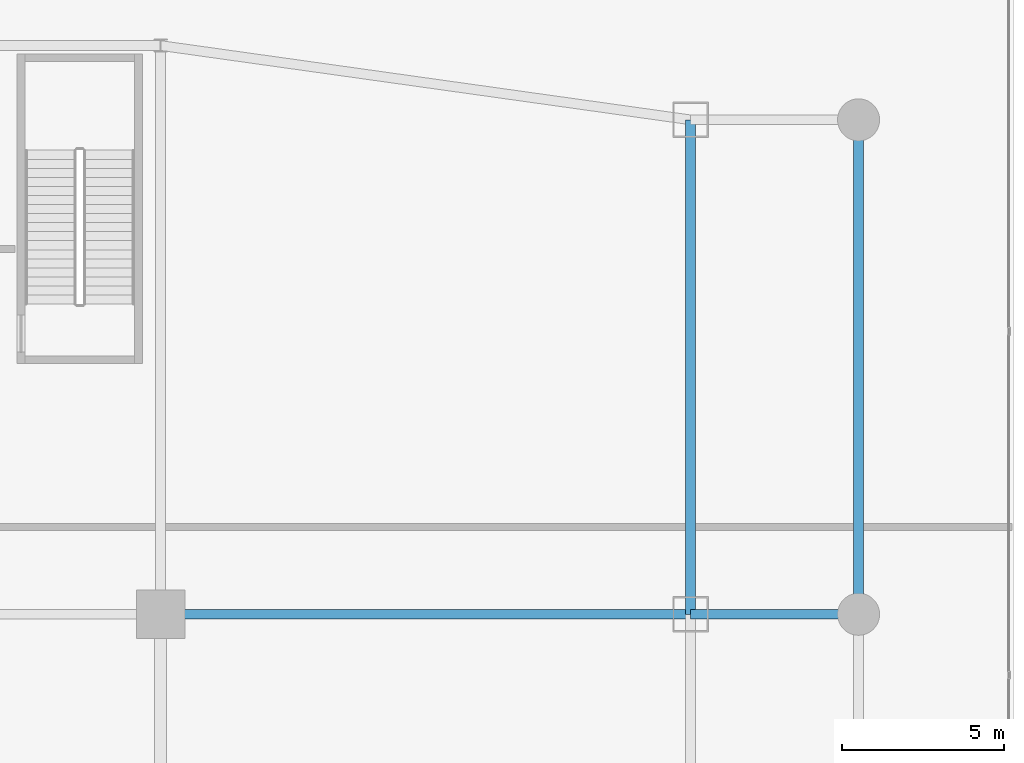
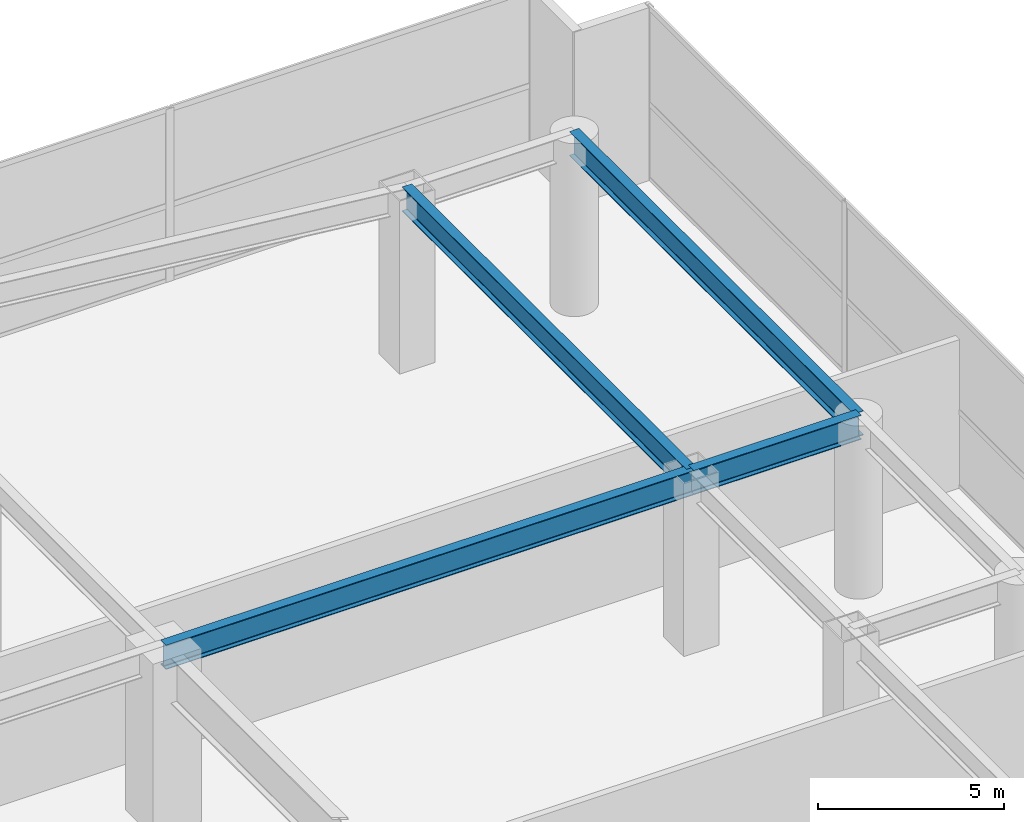
# One storey, part 25 of 35: 4 beams.
"""IFC4 building model written with IfcOpenShell, lengths in metres."""

from ifc_helpers import new_model, si_unit, direction, frame, origin, origin_2d, place, context, subcontext, project, spatial, i_section, extrude, material, material_profile, profile_set, type_object, element, save


model = new_model("IFC4")

# Units and contexts
model_context = context("Model", 3, precision=1e-05, world=origin(), true_north=direction((0.0, 1.0)))
body_context = subcontext(model_context, "Body", "Model", "MODEL_VIEW")
ifc_project = project(units=[si_unit("LENGTHUNIT", "METRE"), si_unit("AREAUNIT", "SQUARE_METRE"), si_unit("VOLUMEUNIT", "CUBIC_METRE"), si_unit("PLANEANGLEUNIT", "RADIAN"), si_unit("MASSUNIT", "GRAM", prefix="KILO")], contexts=[model_context])

# Site, building, storey
site_placement = place(None, origin())
site = spatial("IfcSite", under=ifc_project, at=site_placement, CompositionType="ELEMENT")
building_placement = place(site_placement, origin())
building = spatial("IfcBuilding", under=site, at=building_placement, Name="Calvorn Quay Hotel", CompositionType="ELEMENT")
storey_placement = place(building_placement, frame((0.0, 0.0, 6.0)))
storey = spatial("IfcBuildingStorey", under=building, at=storey_placement, Name="L01", CompositionType="ELEMENT", Elevation=6.0)

# Beams
ifc_material = material(Name="Steel Q390GJC", Category="steel")
ifc_material_profile = material_profile(ifc_material, i_section(OverallWidth=0.300048828125, OverallDepth=0.800048828125, WebThickness=0.013916015625, FlangeThickness=0.02587890625, FilletRadius=0.02392578125, at=origin_2d()), Name="HN800x300x14x26")
ifc_profile_set = profile_set([ifc_material_profile], Name="Steel Q390GJC")
beam_type = type_object("IfcBeamType", Name="BM-GIRD-POD", PredefinedType="BEAM", material=ifc_profile_set)
beam_1_placement = place(storey_placement, frame((74.0, 36.199951171875, 5.280029296875), z_axis=(0.0, 1.0, 0.0), x_axis=(-1.0, 0.0, 0.0)))
element("IfcBeam", 1, at=beam_1_placement, inside=storey, type_object=beam_type, Name="Beam BG-L01-PE4", PredefinedType="BEAM", context=body_context, shape_type="SweptSolid", body=[
    extrude(i_section(OverallWidth=0.300048828125, OverallDepth=0.800048828125, WebThickness=0.013916015625, FlangeThickness=0.02587890625, FilletRadius=0.02392578125, at=origin_2d()), origin(), (0.0, 0.0, 1.0), 15.300048828125),
])
beam_2_placement = place(storey_placement, frame((57.60009765625, 36.199951171875, 5.280029296875), z_axis=(1.0, 0.0, 0.0), x_axis=(0.0, 1.0, 0.0)))
element("IfcBeam", 2, at=beam_2_placement, inside=storey, type_object=beam_type, Name="Beam BG-L01-PN3", PredefinedType="BEAM", context=body_context, shape_type="SweptSolid", body=[
    extrude(i_section(OverallWidth=0.300048828125, OverallDepth=0.800048828125, WebThickness=0.013916015625, FlangeThickness=0.02587890625, FilletRadius=0.02392578125, at=origin_2d()), origin(), (0.0, 0.0, 1.0), 16.39990234375),
])
beam_3_placement = place(storey_placement, frame((79.199951171875, 36.199951171875, 5.280029296875), z_axis=(0.0, 1.0, 0.0), x_axis=(-1.0, 0.0, 0.0)))
element("IfcBeam", 3, at=beam_3_placement, inside=storey, type_object=beam_type, Name="Beam BSP-L01-Q4", PredefinedType="BEAM", context=body_context, shape_type="SweptSolid", body=[
    extrude(i_section(OverallWidth=0.300048828125, OverallDepth=0.800048828125, WebThickness=0.013916015625, FlangeThickness=0.02587890625, FilletRadius=0.02392578125, at=origin_2d()), origin(), (0.0, 0.0, 1.0), 15.300048828125),
])
beam_4_placement = place(storey_placement, frame((74.0, 36.199951171875, 5.280029296875), z_axis=(1.0, 0.0, 0.0), x_axis=(0.0, 1.0, 0.0)))
element("IfcBeam", 4, at=beam_4_placement, inside=storey, type_object=beam_type, Name="Beam BG-L01-EQ4", PredefinedType="BEAM", context=body_context, shape_type="SweptSolid", body=[
    extrude(i_section(OverallWidth=0.300048828125, OverallDepth=0.800048828125, WebThickness=0.013916015625, FlangeThickness=0.02587890625, FilletRadius=0.02392578125, at=origin_2d()), origin(), (0.0, 0.0, 1.0), 5.199951171875),
])

save(model, "model.ifc")
